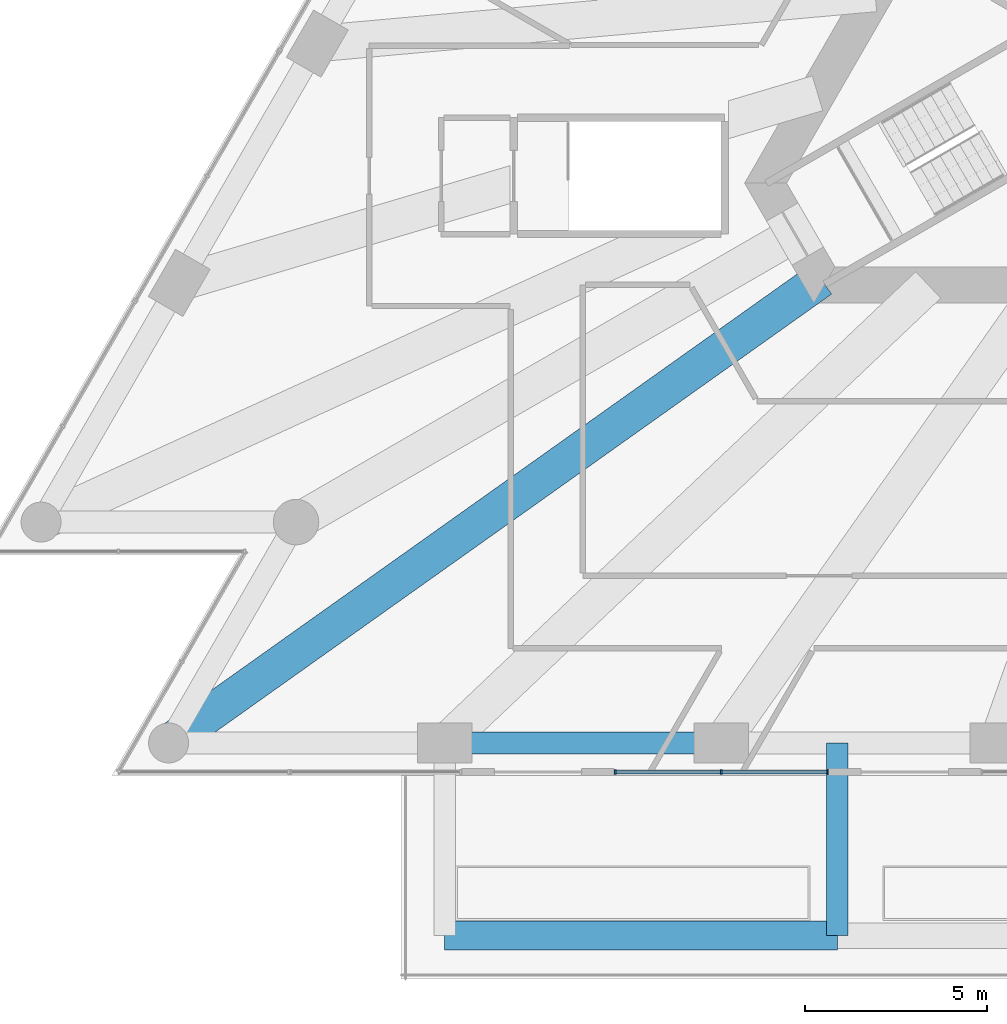
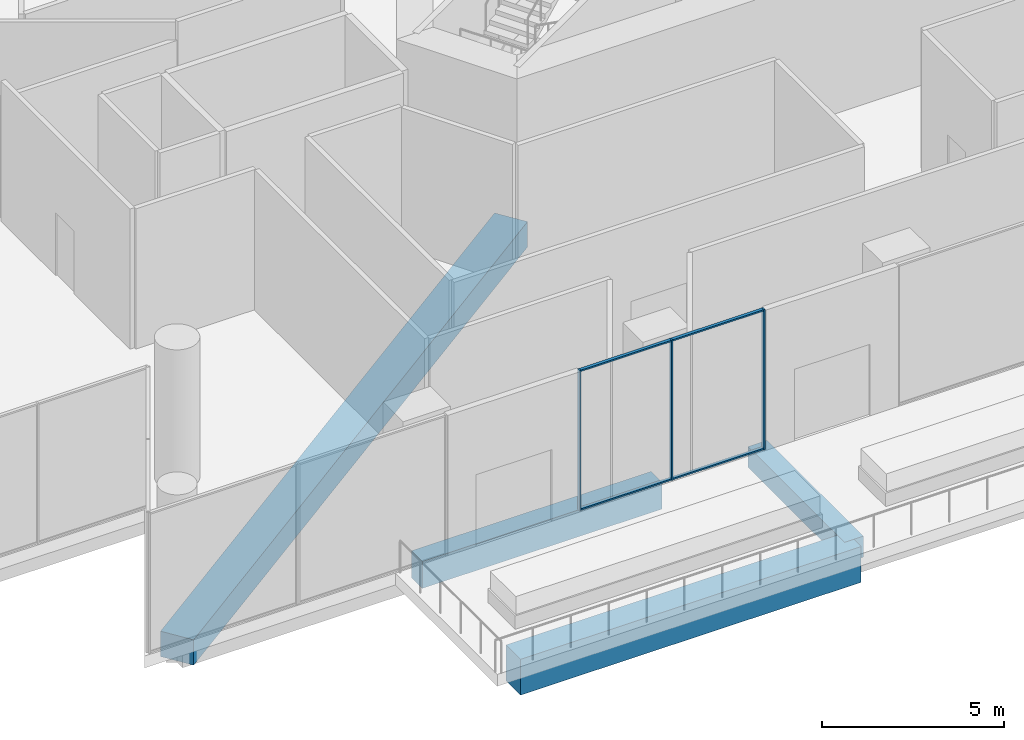
# One storey, part 3 of 28: 7 members, 4 beams, 1 element without a shape of its own.
"""IFC4 building model written with IfcOpenShell, lengths in metres."""

from ifc_helpers import new_model, si_unit, direction, frame, origin, origin_2d, place, context, subcontext, project, spatial, rectangle, extrude, material, layer, layer_set, material_profile, profile_set, type_object, element, aggregate, save


model = new_model("IFC4")

# Units and contexts
model_context = context("Model", 3, precision=1e-05, world=origin(), true_north=direction((0.0, 1.0)))
body_context = subcontext(model_context, "Body", "Model", "MODEL_VIEW")
ifc_project = project(units=[si_unit("LENGTHUNIT", "METRE"), si_unit("AREAUNIT", "SQUARE_METRE"), si_unit("VOLUMEUNIT", "CUBIC_METRE"), si_unit("PLANEANGLEUNIT", "RADIAN"), si_unit("MASSUNIT", "GRAM", prefix="KILO")], contexts=[model_context])

# Site, building, storey
site_placement = place(None, origin())
site = spatial("IfcSite", under=ifc_project, at=site_placement, CompositionType="ELEMENT")
building_placement = place(site_placement, origin())
building = spatial("IfcBuilding", under=site, at=building_placement, Name="Triada Interchange Tower", CompositionType="ELEMENT")
storey_placement = place(building_placement, frame((0.0, 0.0, 30.300048828125)))
storey = spatial("IfcBuildingStorey", under=building, at=storey_placement, Name="L05", CompositionType="ELEMENT", Elevation=30.300048828125)

# Curtain wall, members
ifc_material_1 = material(Name="Aluminium framed glazing", Category="aluminium")
ifc_layer = layer(ifc_material_1, 0.199951171875)
ifc_layer_set = layer_set([ifc_layer], Name="Curtain wall Winter garden glazing")
curtain_wall_type = type_object("IfcCurtainWallType", Name="Curtain wall Winter garden glazing", PredefinedType="NOTDEFINED", material=ifc_layer_set)
curtain_wall_placement = place(storey_placement, origin())
curtain_wall = element("IfcCurtainWall", 1, at=curtain_wall_placement, inside=storey, type_object=curtain_wall_type, Name="Winter garden glazing CW003 L05", PredefinedType="NOTDEFINED")
ifc_material_2 = material(Name="Aluminium", Category="aluminium")
ifc_material_profile_1 = material_profile(ifc_material_2, rectangle(XDim=0.1201171875, YDim=0.050048828125, at=origin_2d()), Name="Aluminium mullion")
ifc_profile_set_1 = profile_set([ifc_material_profile_1], Name="Aluminium")
member_type_1 = type_object("IfcMemberType", Name="Mullion Winter garden glazing 120x50", PredefinedType="MULLION", material=ifc_profile_set_1)
member_1_placement = place(storey_placement, frame((-18.112060546875, -22.39990234375, 0.0), z_axis=(0.0, 0.0, 1.0), x_axis=(0.0, 1.0, 0.0)))
member_1 = element("IfcMember", 2, at=member_1_placement, type_object=member_type_1, Name="CW003 mullion 1", PredefinedType="MULLION", context=body_context, shape_type="SweptSolid", body=[
    extrude(rectangle(XDim=0.1201171875, YDim=0.050048828125, at=origin_2d()), origin(), (0.0, 0.0, 1.0), 4.699951171875),
])
member_2_placement = place(storey_placement, frame((-15.19140625, -22.39990234375, 0.0), z_axis=(0.0, 0.0, 1.0), x_axis=(0.0, 1.0, 0.0)))
member_2 = element("IfcMember", 3, at=member_2_placement, type_object=member_type_1, Name="CW003 mullion 2", PredefinedType="MULLION", context=body_context, shape_type="SweptSolid", body=[
    extrude(rectangle(XDim=0.1201171875, YDim=0.050048828125, at=origin_2d()), origin(), (0.0, 0.0, 1.0), 4.699951171875),
])
member_3_placement = place(storey_placement, frame((-12.27099609375, -22.39990234375, 0.0), z_axis=(0.0, 0.0, 1.0), x_axis=(0.0, 1.0, 0.0)))
member_3 = element("IfcMember", 4, at=member_3_placement, type_object=member_type_1, Name="CW003 mullion 3", PredefinedType="MULLION", context=body_context, shape_type="SweptSolid", body=[
    extrude(rectangle(XDim=0.1201171875, YDim=0.050048828125, at=origin_2d()), origin(), (0.0, 0.0, 1.0), 4.699951171875),
])

# Beams
ifc_material_3 = material(Name="Concrete C50/60", Category="concrete")
ifc_material_profile_2 = material_profile(ifc_material_3, rectangle(XDim=1.0, YDim=0.85009765625, at=origin_2d()), Name="RC 1000x850")
ifc_profile_set_2 = profile_set([ifc_material_profile_2], Name="Concrete C50/60")
beam_type_1 = type_object("IfcBeamType", Name="Radial band beam P RC 1000x850", PredefinedType="BEAM", material=ifc_profile_set_2)
beam_1_placement = place(storey_placement, frame((-30.39697265625, -21.60009765625, -0.824951171875), z_axis=(0.815163189691, 0.579231364977, 0.0), x_axis=(-0.579231364977, 0.815163189691, 0.0)))
element("IfcBeam", 5, at=beam_1_placement, inside=storey, type_object=beam_type_1, Name="Radial band beam BP11 L05", PredefinedType="BEAM", context=body_context, shape_type="SweptSolid", body=[
    extrude(rectangle(XDim=1.0, YDim=0.85009765625, at=origin_2d()), origin(), (0.0, 0.0, 1.0), 22.0224609375),
])
ifc_material_profile_3 = material_profile(ifc_material_3, rectangle(XDim=0.60009765625, YDim=0.89990234375, at=origin_2d()), Name="RC 600x900")
ifc_profile_set_3 = profile_set([ifc_material_profile_3], Name="Concrete C50/60")
beam_type_2 = type_object("IfcBeamType", Name="Spandrel beam P RC 600x900", PredefinedType="BEAM", material=ifc_profile_set_3)
beam_2_placement = place(storey_placement, frame((-22.798095703125, -21.60009765625, -0.85009765625), z_axis=(1.0, 0.0, 0.0), x_axis=(0.0, 1.0, 0.0)))
element("IfcBeam", 6, at=beam_2_placement, inside=storey, type_object=beam_type_2, Name="Spandrel beam EP12 L05", PredefinedType="BEAM", context=body_context, shape_type="SweptSolid", body=[
    extrude(rectangle(XDim=0.60009765625, YDim=0.89990234375, at=origin_2d()), origin(), (0.0, 0.0, 1.0), 7.60009765625),
])
ifc_material_4 = material(Name="Concrete C40/50", Category="concrete")
ifc_material_profile_4 = material_profile(ifc_material_4, rectangle(XDim=0.60009765625, YDim=0.699951171875, at=origin_2d()), Name="RC 600x700")
ifc_profile_set_4 = profile_set([ifc_material_profile_4], Name="Concrete C40/50")
beam_type_3 = type_object("IfcBeamType", Name="Terrace beam RC 600x700", PredefinedType="BEAM", material=ifc_profile_set_4)
beam_3_placement = place(storey_placement, frame((-12.0, -26.89990234375, -0.75), z_axis=(0.0, 1.0, 0.0), x_axis=(-1.0, 0.0, 0.0)))
element("IfcBeam", 7, at=beam_3_placement, inside=storey, type_object=beam_type_3, Name="Terrace beam TE02 L05", PredefinedType="BEAM", context=body_context, shape_type="SweptSolid", body=[
    extrude(rectangle(XDim=0.60009765625, YDim=0.699951171875, at=origin_2d()), origin(), (0.0, 0.0, 1.0), 5.2998046875),
])
ifc_material_profile_5 = material_profile(ifc_material_4, rectangle(XDim=0.800048828125, YDim=1.199951171875, at=origin_2d()), Name="RC 800x1200")
ifc_profile_set_5 = profile_set([ifc_material_profile_5], Name="Concrete C40/50")
beam_type_4 = type_object("IfcBeamType", Name="Terrace beam RC 800x1200", PredefinedType="BEAM", material=ifc_profile_set_5)
beam_4_placement = place(storey_placement, frame((-22.800048828125, -26.89990234375, -1.0), z_axis=(1.0, 0.0, 0.0), x_axis=(0.0, 1.0, 0.0)))
element("IfcBeam", 8, at=beam_4_placement, inside=storey, type_object=beam_type_4, Name="Terrace beam TE07 L05", PredefinedType="BEAM", context=body_context, shape_type="SweptSolid", body=[
    extrude(rectangle(XDim=0.800048828125, YDim=1.199951171875, at=origin_2d()), origin(), (0.0, 0.0, 1.0), 10.800048828125),
])

# Member
ifc_material_profile_6 = material_profile(ifc_material_2, rectangle(XDim=0.10009765625, YDim=0.050048828125, at=origin_2d()), Name="Aluminium transom")
ifc_profile_set_6 = profile_set([ifc_material_profile_6], Name="Aluminium")
member_type_2 = type_object("IfcMemberType", Name="Transom Winter garden glazing 100x50", PredefinedType="USERDEFINED", material=ifc_profile_set_6)
member_4_placement = place(storey_placement, frame((-18.0869140625, -22.39990234375, 0.02490234375), z_axis=(1.0, 0.0, 0.0), x_axis=(0.0, 1.0, 0.0)))
member_4 = element("IfcMember", 9, at=member_4_placement, type_object=member_type_2, Name="CW003 transom 1.1", ObjectType="TRANSOM", PredefinedType="USERDEFINED", context=body_context, shape_type="SweptSolid", body=[
    extrude(rectangle(XDim=0.10009765625, YDim=0.050048828125, at=origin_2d()), origin(), (0.0, 0.0, 1.0), 2.870361328125),
])

member_5_placement = place(storey_placement, frame((-18.0869140625, -22.39990234375, 4.675048828125), z_axis=(1.0, 0.0, 0.0), x_axis=(0.0, 1.0, 0.0)))
member_5 = element("IfcMember", 10, at=member_5_placement, type_object=member_type_2, Name="CW003 transom 1.2", ObjectType="TRANSOM", PredefinedType="USERDEFINED", context=body_context, shape_type="SweptSolid", body=[
    extrude(rectangle(XDim=0.10009765625, YDim=0.050048828125, at=origin_2d()), origin(), (0.0, 0.0, 1.0), 2.870361328125),
])

member_6_placement = place(storey_placement, frame((-15.16650390625, -22.39990234375, 0.02490234375), z_axis=(1.0, 0.0, 0.0), x_axis=(0.0, 1.0, 0.0)))
member_6 = element("IfcMember", 11, at=member_6_placement, type_object=member_type_2, Name="CW003 transom 2.1", ObjectType="TRANSOM", PredefinedType="USERDEFINED", context=body_context, shape_type="SweptSolid", body=[
    extrude(rectangle(XDim=0.10009765625, YDim=0.050048828125, at=origin_2d()), origin(), (0.0, 0.0, 1.0), 2.87060546875),
])

member_7_placement = place(storey_placement, frame((-15.16650390625, -22.39990234375, 4.675048828125), z_axis=(1.0, 0.0, 0.0), x_axis=(0.0, 1.0, 0.0)))
member_7 = element("IfcMember", 12, at=member_7_placement, type_object=member_type_2, Name="CW003 transom 2.2", ObjectType="TRANSOM", PredefinedType="USERDEFINED", context=body_context, shape_type="SweptSolid", body=[
    extrude(rectangle(XDim=0.10009765625, YDim=0.050048828125, at=origin_2d()), origin(), (0.0, 0.0, 1.0), 2.87060546875),
])

aggregate(curtain_wall, [member_1, member_2, member_3, member_4, member_5, member_6, member_7])

save(model, "model.ifc")
